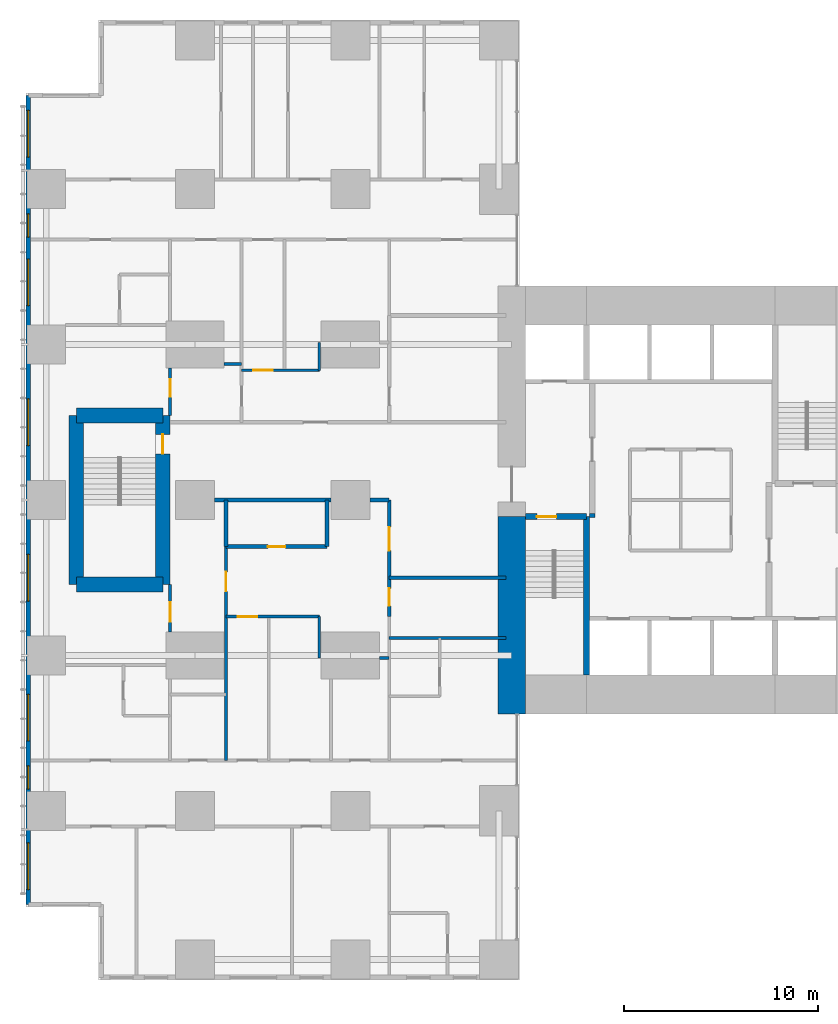
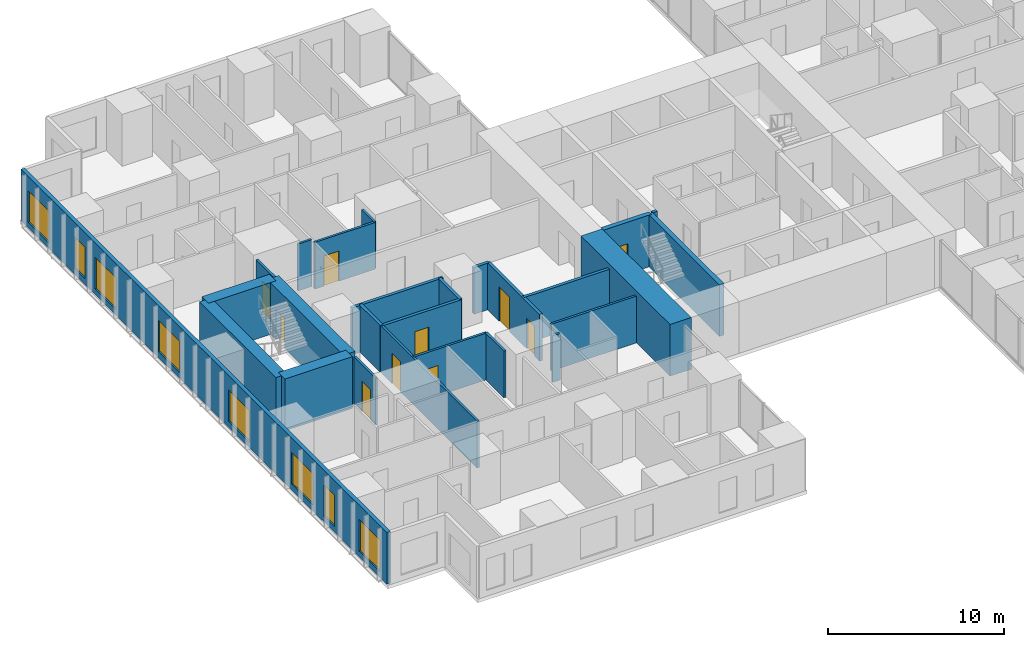
# One storey, part 13 of 20: 26 walls, 10 doors, 8 windows, 18 openings.
"""IFC4 building model written with IfcOpenShell, lengths in metres."""

from ifc_helpers import new_model, si_unit, direction, frame, frame_2d, origin, place, context, subcontext, project, spatial, rectangle, extrude, material, layer, layer_set, type_object, element, fill, save


model = new_model("IFC4")

# Units and contexts
model_context = context("Model", 3, precision=1e-05, world=origin(), true_north=direction((0.0, 1.0)))
body_context = subcontext(model_context, "Body", "Model", "MODEL_VIEW")
ifc_project = project(units=[si_unit("LENGTHUNIT", "METRE"), si_unit("AREAUNIT", "SQUARE_METRE"), si_unit("VOLUMEUNIT", "CUBIC_METRE"), si_unit("PLANEANGLEUNIT", "RADIAN"), si_unit("MASSUNIT", "GRAM", prefix="KILO")], contexts=[model_context])

# Site, building, storey
site_placement = place(None, origin())
site = spatial("IfcSite", under=ifc_project, at=site_placement, CompositionType="ELEMENT")
building_placement = place(site_placement, origin())
building = spatial("IfcBuilding", under=site, at=building_placement, Name="Cleftline Residences", CompositionType="ELEMENT")
storey_placement = place(building_placement, frame((0.0, 0.0, 168.199951171875)))
storey = spatial("IfcBuildingStorey", under=building, at=storey_placement, Name="L44", CompositionType="ELEMENT", Elevation=168.199951171875)

# Walls
ifc_material_1 = material(Name="Concrete B70", Category="concrete")
ifc_layer_1 = layer(ifc_material_1, 1.39990234375)
ifc_layer_set_1 = layer_set([ifc_layer_1], Name="CORE WALL 1400")
wall_type_1 = type_object("IfcWallType", Name="CORE WALL 1400", PredefinedType="SHEAR", material=ifc_layer_set_1)
wall_1_placement = place(storey_placement, frame((24.300048828125, 13.0, 0.0), z_axis=(0.0, 0.0, 1.0), x_axis=(0.0, 1.0, 0.0)))
element("IfcWall", 1, at=wall_1_placement, inside=storey, type_object=wall_type_1, Name="Core wall W0", PredefinedType="SHEAR", context=body_context, shape_type="SweptSolid", body=[
    extrude(rectangle(XDim=10.14990234375, YDim=1.39990234375, at=frame_2d((5.074951171875, 0.0))), origin(), (0.0, 0.0, 1.0), 3.60009765625),
])
ifc_material_2 = material(Name="Concrete B70", Category="concrete")
ifc_layer_2 = layer(ifc_material_2, 0.300048828125)
ifc_layer_set_2 = layer_set([ifc_layer_2], Name="CORE WALL 300")
wall_type_2 = type_object("IfcWallType", Name="CORE WALL 300", PredefinedType="SHEAR", material=ifc_layer_set_2)
wall_2_placement = place(storey_placement, frame((28.14990234375, 15.0, 0.0), z_axis=(0.0, 0.0, 1.0), x_axis=(0.0, 1.0, 0.0)))
element("IfcWall", 2, at=wall_2_placement, inside=storey, type_object=wall_type_2, Name="Core wall SA-E", PredefinedType="SHEAR", context=body_context, shape_type="SweptSolid", body=[
    extrude(rectangle(XDim=8.14990234375, YDim=0.300048828125, at=frame_2d((4.074951171875, 0.0))), origin(), (0.0, 0.0, 1.0), 3.60009765625),
])

# Wall, opening, door
wall_3_placement = place(storey_placement, frame((25.0, 23.14990234375, 0.0), z_axis=(0.0, 0.0, 1.0), x_axis=(1.0, 0.0, 0.0)))
wall_3 = element("IfcWall", 3, at=wall_3_placement, inside=storey, type_object=wall_type_2, Name="Core wall SA-N", PredefinedType="SHEAR", context=body_context, shape_type="SweptSolid", body=[
    extrude(rectangle(XDim=3.14990234375, YDim=0.300048828125, at=frame_2d((1.574951171875, 0.0))), origin(), (0.0, 0.0, 1.0), 3.60009765625),
])
opening_1_placement = place(wall_3_placement, frame((0.60009765625, 0.0, 0.0)))
opening_1 = element("IfcOpeningElement", 4, at=opening_1_placement, cuts=wall_3, Name="Opening D5", PredefinedType="OPENING", context=body_context, shape_type="SweptSolid", body=[
    extrude(rectangle(XDim=1.0, YDim=2.10009765625, at=frame_2d((0.5, 1.050048828125))), frame((0.0, 0.159912109375, 0.0), z_axis=(0.0, -1.0, 0.0), x_axis=(1.0, 0.0, 0.0)), (0.0, 0.0, 1.0), 0.320068359375),
])
ifc_material_3 = material(Name="Steel", Category="steel")
door_type_1 = type_object("IfcDoorType", Name="STAIR DOOR 1000X2100", OperationType="SINGLE_SWING_LEFT", PredefinedType="DOOR", material=ifc_material_3)
door_1_placement = place(opening_1_placement, origin())
door_1 = element("IfcDoor", 5, at=door_1_placement, inside=storey, type_object=door_type_1, Name="Stair A door", OperationType="SINGLE_SWING_RIGHT", OverallHeight=2.10009765625, OverallWidth=1.0, PredefinedType="DOOR", context=body_context, shape_type="SweptSolid", body=[
    extrude(rectangle(XDim=1.0, YDim=2.10009765625, at=frame_2d((0.5, 1.050048828125))), frame((0.0, 0.02490234375, 0.0), z_axis=(0.0, -1.0, 0.0), x_axis=(1.0, 0.0, 0.0)), (0.0, 0.0, 1.0), 0.050048828125),
])
fill(opening_1, door_1)

# Wall, openings, windows
ifc_material_4 = material(Name="Rendered reinforced concrete blockwork", Category="masonry")
ifc_layer_3 = layer(ifc_material_4, 0.25)
ifc_layer_set_3 = layer_set([ifc_layer_3], Name="EXTERNAL WALL 250")
wall_type_3 = type_object("IfcWallType", Name="EXTERNAL WALL 250", PredefinedType="SOLIDWALL", material=ifc_layer_set_3)
wall_4_placement = place(storey_placement, frame((-0.574951171875, 44.824951171875, 0.0), z_axis=(0.0, 0.0, 1.0), x_axis=(0.0, -1.0, 0.0)))
wall_4 = element("IfcWall", 6, at=wall_4_placement, inside=storey, type_object=wall_type_3, Name="External wall", PredefinedType="SOLIDWALL", context=body_context, shape_type="SweptSolid", body=[
    extrude(rectangle(XDim=41.64990234375, YDim=0.25, at=frame_2d((20.824951171875, 0.0))), origin(), (0.0, 0.0, 1.0), 3.60009765625),
])
opening_2_placement = place(wall_4_placement, frame((0.77490234375, 0.0, 0.39990234375)))
opening_2 = element("IfcOpeningElement", 7, at=opening_2_placement, cuts=wall_4, Name="Opening W12", PredefinedType="OPENING", context=body_context, shape_type="SweptSolid", body=[
    extrude(rectangle(XDim=2.39990234375, YDim=2.199951171875, at=frame_2d((1.199951171875, 1.10009765625))), frame((0.0, 0.135009765625, 0.0), z_axis=(0.0, -1.0, 0.0), x_axis=(1.0, 0.0, 0.0)), (0.0, 0.0, 1.0), 0.27001953125),
])
opening_3_placement = place(wall_4_placement, frame((6.10009765625, 0.0, 0.39990234375)))
opening_3 = element("IfcOpeningElement", 8, at=opening_3_placement, cuts=wall_4, Name="Opening W11", PredefinedType="OPENING", context=body_context, shape_type="SweptSolid", body=[
    extrude(rectangle(XDim=1.199951171875, YDim=2.199951171875, at=frame_2d((0.60009765625, 1.10009765625))), frame((0.0, 0.135009765625, 0.0), z_axis=(0.0, -1.0, 0.0), x_axis=(1.0, 0.0, 0.0)), (0.0, 0.0, 1.0), 0.27001953125),
])
opening_4_placement = place(wall_4_placement, frame((8.425048828125, 0.0, 0.39990234375)))
opening_4 = element("IfcOpeningElement", 9, at=opening_4_placement, cuts=wall_4, Name="Opening W12", PredefinedType="OPENING", context=body_context, shape_type="SweptSolid", body=[
    extrude(rectangle(XDim=2.39990234375, YDim=2.199951171875, at=frame_2d((1.199951171875, 1.10009765625))), frame((0.0, 0.135009765625, 0.0), z_axis=(0.0, -1.0, 0.0), x_axis=(1.0, 0.0, 0.0)), (0.0, 0.0, 1.0), 0.27001953125),
])
opening_5_placement = place(wall_4_placement, frame((15.625, 0.0, 0.39990234375)))
opening_5 = element("IfcOpeningElement", 10, at=opening_5_placement, cuts=wall_4, Name="Opening W12", PredefinedType="OPENING", context=body_context, shape_type="SweptSolid", body=[
    extrude(rectangle(XDim=2.39990234375, YDim=2.199951171875, at=frame_2d((1.199951171875, 1.10009765625))), frame((0.0, 0.135009765625, 0.0), z_axis=(0.0, -1.0, 0.0), x_axis=(1.0, 0.0, 0.0)), (0.0, 0.0, 1.0), 0.27001953125),
])
opening_6_placement = place(wall_4_placement, frame((23.625, 0.0, 0.39990234375)))
opening_6 = element("IfcOpeningElement", 11, at=opening_6_placement, cuts=wall_4, Name="Opening W12", PredefinedType="OPENING", context=body_context, shape_type="SweptSolid", body=[
    extrude(rectangle(XDim=2.39990234375, YDim=2.199951171875, at=frame_2d((1.199951171875, 1.10009765625))), frame((0.0, 0.135009765625, 0.0), z_axis=(0.0, -1.0, 0.0), x_axis=(1.0, 0.0, 0.0)), (0.0, 0.0, 1.0), 0.27001953125),
])
opening_7_placement = place(wall_4_placement, frame((30.824951171875, 0.0, 0.39990234375)))
opening_7 = element("IfcOpeningElement", 12, at=opening_7_placement, cuts=wall_4, Name="Opening W12", PredefinedType="OPENING", context=body_context, shape_type="SweptSolid", body=[
    extrude(rectangle(XDim=2.39990234375, YDim=2.199951171875, at=frame_2d((1.199951171875, 1.10009765625))), frame((0.0, 0.135009765625, 0.0), z_axis=(0.0, -1.0, 0.0), x_axis=(1.0, 0.0, 0.0)), (0.0, 0.0, 1.0), 0.27001953125),
])
opening_8_placement = place(wall_4_placement, frame((34.5, 0.0, 0.39990234375)))
opening_8 = element("IfcOpeningElement", 13, at=opening_8_placement, cuts=wall_4, Name="Opening W11", PredefinedType="OPENING", context=body_context, shape_type="SweptSolid", body=[
    extrude(rectangle(XDim=1.199951171875, YDim=2.199951171875, at=frame_2d((0.60009765625, 1.10009765625))), frame((0.0, 0.135009765625, 0.0), z_axis=(0.0, -1.0, 0.0), x_axis=(1.0, 0.0, 0.0)), (0.0, 0.0, 1.0), 0.27001953125),
])
opening_9_placement = place(wall_4_placement, frame((38.47509765625, 0.0, 0.39990234375)))
opening_9 = element("IfcOpeningElement", 14, at=opening_9_placement, cuts=wall_4, Name="Opening W12", PredefinedType="OPENING", context=body_context, shape_type="SweptSolid", body=[
    extrude(rectangle(XDim=2.39990234375, YDim=2.199951171875, at=frame_2d((1.199951171875, 1.10009765625))), frame((0.0, 0.135009765625, 0.0), z_axis=(0.0, -1.0, 0.0), x_axis=(1.0, 0.0, 0.0)), (0.0, 0.0, 1.0), 0.27001953125),
])
ifc_material_5 = material(Name="Aluminium frame, clear double glazing", Category="aluminium")
window_type_1 = type_object("IfcWindowType", Name="WINDOW 1200X2200", PartitioningType="DOUBLE_PANEL_VERTICAL", PredefinedType="WINDOW", material=ifc_material_5)
window_1_placement = place(opening_3_placement, origin())
window_1 = element("IfcWindow", 15, at=window_1_placement, inside=storey, type_object=window_type_1, Name="Window", OverallHeight=2.199951171875, OverallWidth=1.199951171875, PartitioningType="SINGLE_PANEL", PredefinedType="WINDOW", context=body_context, shape_type="SweptSolid", body=[
    extrude(rectangle(XDim=1.199951171875, YDim=2.199951171875, at=frame_2d((0.60009765625, 1.10009765625))), frame((0.0, 0.030029296875, 0.0), z_axis=(0.0, -1.0, 0.0), x_axis=(1.0, 0.0, 0.0)), (0.0, 0.0, 1.0), 0.06005859375),
])
fill(opening_3, window_1)
window_2_placement = place(opening_8_placement, origin())
window_2 = element("IfcWindow", 16, at=window_2_placement, inside=storey, type_object=window_type_1, Name="Window", OverallHeight=2.199951171875, OverallWidth=1.199951171875, PartitioningType="SINGLE_PANEL", PredefinedType="WINDOW", context=body_context, shape_type="SweptSolid", body=[
    extrude(rectangle(XDim=1.199951171875, YDim=2.199951171875, at=frame_2d((0.60009765625, 1.10009765625))), frame((0.0, 0.030029296875, 0.0), z_axis=(0.0, -1.0, 0.0), x_axis=(1.0, 0.0, 0.0)), (0.0, 0.0, 1.0), 0.06005859375),
])
fill(opening_8, window_2)
ifc_material_6 = material(Name="Aluminium frame, clear double glazing", Category="aluminium")
window_type_2 = type_object("IfcWindowType", Name="WINDOW 2400X2200", PartitioningType="DOUBLE_PANEL_VERTICAL", PredefinedType="WINDOW", material=ifc_material_6)
window_3_placement = place(opening_2_placement, origin())
window_3 = element("IfcWindow", 17, at=window_3_placement, inside=storey, type_object=window_type_2, Name="Window", OverallHeight=2.199951171875, OverallWidth=2.39990234375, PartitioningType="SINGLE_PANEL", PredefinedType="WINDOW", context=body_context, shape_type="SweptSolid", body=[
    extrude(rectangle(XDim=2.39990234375, YDim=2.199951171875, at=frame_2d((1.199951171875, 1.10009765625))), frame((0.0, 0.030029296875, 0.0), z_axis=(0.0, -1.0, 0.0), x_axis=(1.0, 0.0, 0.0)), (0.0, 0.0, 1.0), 0.06005859375),
])
fill(opening_2, window_3)
window_4_placement = place(opening_4_placement, origin())
window_4 = element("IfcWindow", 18, at=window_4_placement, inside=storey, type_object=window_type_2, Name="Window", OverallHeight=2.199951171875, OverallWidth=2.39990234375, PartitioningType="SINGLE_PANEL", PredefinedType="WINDOW", context=body_context, shape_type="SweptSolid", body=[
    extrude(rectangle(XDim=2.39990234375, YDim=2.199951171875, at=frame_2d((1.199951171875, 1.10009765625))), frame((0.0, 0.030029296875, 0.0), z_axis=(0.0, -1.0, 0.0), x_axis=(1.0, 0.0, 0.0)), (0.0, 0.0, 1.0), 0.06005859375),
])
fill(opening_4, window_4)
window_5_placement = place(opening_5_placement, origin())
window_5 = element("IfcWindow", 19, at=window_5_placement, inside=storey, type_object=window_type_2, Name="Window", OverallHeight=2.199951171875, OverallWidth=2.39990234375, PartitioningType="SINGLE_PANEL", PredefinedType="WINDOW", context=body_context, shape_type="SweptSolid", body=[
    extrude(rectangle(XDim=2.39990234375, YDim=2.199951171875, at=frame_2d((1.199951171875, 1.10009765625))), frame((0.0, 0.030029296875, 0.0), z_axis=(0.0, -1.0, 0.0), x_axis=(1.0, 0.0, 0.0)), (0.0, 0.0, 1.0), 0.06005859375),
])
fill(opening_5, window_5)
window_6_placement = place(opening_6_placement, origin())
window_6 = element("IfcWindow", 20, at=window_6_placement, inside=storey, type_object=window_type_2, Name="Window", OverallHeight=2.199951171875, OverallWidth=2.39990234375, PartitioningType="SINGLE_PANEL", PredefinedType="WINDOW", context=body_context, shape_type="SweptSolid", body=[
    extrude(rectangle(XDim=2.39990234375, YDim=2.199951171875, at=frame_2d((1.199951171875, 1.10009765625))), frame((0.0, 0.030029296875, 0.0), z_axis=(0.0, -1.0, 0.0), x_axis=(1.0, 0.0, 0.0)), (0.0, 0.0, 1.0), 0.06005859375),
])
fill(opening_6, window_6)
window_7_placement = place(opening_7_placement, origin())
window_7 = element("IfcWindow", 21, at=window_7_placement, inside=storey, type_object=window_type_2, Name="Window", OverallHeight=2.199951171875, OverallWidth=2.39990234375, PartitioningType="SINGLE_PANEL", PredefinedType="WINDOW", context=body_context, shape_type="SweptSolid", body=[
    extrude(rectangle(XDim=2.39990234375, YDim=2.199951171875, at=frame_2d((1.199951171875, 1.10009765625))), frame((0.0, 0.030029296875, 0.0), z_axis=(0.0, -1.0, 0.0), x_axis=(1.0, 0.0, 0.0)), (0.0, 0.0, 1.0), 0.06005859375),
])
fill(opening_7, window_7)
window_8_placement = place(opening_9_placement, origin())
window_8 = element("IfcWindow", 22, at=window_8_placement, inside=storey, type_object=window_type_2, Name="Window", OverallHeight=2.199951171875, OverallWidth=2.39990234375, PartitioningType="SINGLE_PANEL", PredefinedType="WINDOW", context=body_context, shape_type="SweptSolid", body=[
    extrude(rectangle(XDim=2.39990234375, YDim=2.199951171875, at=frame_2d((1.199951171875, 1.10009765625))), frame((0.0, 0.030029296875, 0.0), z_axis=(0.0, -1.0, 0.0), x_axis=(1.0, 0.0, 0.0)), (0.0, 0.0, 1.0), 0.06005859375),
])
fill(opening_9, window_8)

# Wall
ifc_material_7 = material(Name="Concrete blockwork, fire rated", Category="masonry")
ifc_layer_4 = layer(ifc_material_7, 0.199951171875)
ifc_layer_set_4 = layer_set([ifc_layer_4], Name="FIRE WALL 200")
wall_type_4 = type_object("IfcWallType", Name="FIRE WALL 200", PredefinedType="PARTITIONING", material=ifc_layer_set_4)
wall_5_placement = place(storey_placement, frame((18.0, 20.0, 0.0), z_axis=(0.0, 0.0, 1.0), x_axis=(1.0, 0.0, 0.0)))
element("IfcWall", 23, at=wall_5_placement, inside=storey, type_object=wall_type_4, Name="Fire separating wall", PredefinedType="PARTITIONING", context=body_context, shape_type="SweptSolid", body=[
    extrude(rectangle(XDim=6.0, YDim=0.199951171875, at=frame_2d((3.0, 0.0))), origin(), (0.0, 0.0, 1.0), 3.25),
])

# Wall, opening, door
wall_6_placement = place(storey_placement, frame((9.60009765625, 21.60009765625, 0.0), z_axis=(0.0, 0.0, 1.0), x_axis=(1.0, 0.0, 0.0)))
wall_6 = element("IfcWall", 24, at=wall_6_placement, inside=storey, type_object=wall_type_4, Name="Fire separating wall", PredefinedType="PARTITIONING", context=body_context, shape_type="SweptSolid", body=[
    extrude(rectangle(XDim=5.199951171875, YDim=0.199951171875, at=frame_2d((2.60009765625, 0.0))), origin(), (0.0, 0.0, 1.0), 3.25),
])
opening_10_placement = place(wall_6_placement, frame((2.14990234375, 0.0, 0.0)))
opening_10 = element("IfcOpeningElement", 25, at=opening_10_placement, cuts=wall_6, Name="Opening D1F30", PredefinedType="OPENING", context=body_context, shape_type="SweptSolid", body=[
    extrude(rectangle(XDim=0.89990234375, YDim=2.10009765625, at=frame_2d((0.449951171875, 1.050048828125))), frame((0.0, 0.10986328125, 0.0), z_axis=(0.0, -1.0, 0.0), x_axis=(1.0, 0.0, 0.0)), (0.0, 0.0, 1.0), 0.219970703125),
])
ifc_material_8 = material(Name="Timber veneer on solid core", Category="wood")
door_type_2 = type_object("IfcDoorType", Name="DOOR 900X2100 EI 30", OperationType="SINGLE_SWING_LEFT", PredefinedType="DOOR", material=ifc_material_8)
door_2_placement = place(opening_10_placement, origin())
door_2 = element("IfcDoor", 26, at=door_2_placement, inside=storey, type_object=door_type_2, Name="Door to cloakroom wc", OperationType="SINGLE_SWING_LEFT", OverallHeight=2.10009765625, OverallWidth=0.89990234375, PredefinedType="DOOR", context=body_context, shape_type="SweptSolid", body=[
    extrude(rectangle(XDim=0.89990234375, YDim=2.10009765625, at=frame_2d((0.449951171875, 1.050048828125))), frame((0.0, 0.02490234375, 0.0), z_axis=(0.0, -1.0, 0.0), x_axis=(1.0, 0.0, 0.0)), (0.0, 0.0, 1.0), 0.050048828125),
])
fill(opening_10, door_2)

# Walls
wall_7_placement = place(storey_placement, frame((9.0, 24.0, 0.0), z_axis=(0.0, 0.0, 1.0), x_axis=(1.0, 0.0, 0.0)))
element("IfcWall", 27, at=wall_7_placement, inside=storey, type_object=wall_type_4, Name="Fire separating wall", PredefinedType="PARTITIONING", context=body_context, shape_type="SweptSolid", body=[
    extrude(rectangle(XDim=6.0, YDim=0.199951171875, at=frame_2d((3.0, 0.0))), origin(), (0.0, 0.0, 1.0), 3.25),
])
wall_8_placement = place(storey_placement, frame((17.0, 24.0, 0.0), z_axis=(0.0, 0.0, 1.0), x_axis=(1.0, 0.0, 0.0)))
element("IfcWall", 28, at=wall_8_placement, inside=storey, type_object=wall_type_4, Name="Fire separating wall", PredefinedType="PARTITIONING", context=body_context, shape_type="SweptSolid", body=[
    extrude(rectangle(XDim=1.0, YDim=0.199951171875, at=frame_2d((0.5, 0.0))), origin(), (0.0, 0.0, 1.0), 3.25),
])
for number, where, z_axis, x_axis, name in (
    (29, (9.60009765625, 21.60009765625, 0.0), (0.0, 0.0, 1.0), (0.0, 1.0, 0.0), "Fire separating wall"),
    (30, (14.800048828125, 21.60009765625, 0.0), (0.0, 0.0, 1.0), (0.0, 1.0, 0.0), "Fire separating wall"),
):
    element("IfcWall", number, at=place(storey_placement, frame(where, z_axis=z_axis, x_axis=x_axis)), inside=storey, type_object=wall_type_4, Name=name, PredefinedType="PARTITIONING", context=body_context, shape_type="SweptSolid", body=[
        extrude(rectangle(XDim=2.39990234375, YDim=0.199951171875, at=frame_2d((1.199951171875, 0.0))), origin(), (0.0, 0.0, 1.0), 3.25),
    ])

# Wall, openings, doors
wall_9_placement = place(storey_placement, frame((18.0, 18.0, 0.0), z_axis=(0.0, 0.0, 1.0), x_axis=(0.0, 1.0, 0.0)))
wall_9 = element("IfcWall", 31, at=wall_9_placement, inside=storey, type_object=wall_type_4, Name="Fire separating wall", PredefinedType="PARTITIONING", context=body_context, shape_type="SweptSolid", body=[
    extrude(rectangle(XDim=6.0, YDim=0.199951171875, at=frame_2d((3.0, 0.0))), origin(), (0.0, 0.0, 1.0), 3.25),
])
opening_11_placement = place(wall_9_placement, frame((3.39990234375, 0.0, 0.0)))
opening_11 = element("IfcOpeningElement", 32, at=opening_11_placement, cuts=wall_9, Name="Opening D4", PredefinedType="OPENING", context=body_context, shape_type="SweptSolid", body=[
    extrude(rectangle(XDim=1.199951171875, YDim=2.39990234375, at=frame_2d((0.60009765625, 1.199951171875))), frame((0.0, 0.10986328125, 0.0), z_axis=(0.0, -1.0, 0.0), x_axis=(1.0, 0.0, 0.0)), (0.0, 0.0, 1.0), 0.219970703125),
])
opening_12_placement = place(wall_9_placement, frame((0.550048828125, 0.0, 0.0)))
opening_12 = element("IfcOpeningElement", 33, at=opening_12_placement, cuts=wall_9, Name="Opening D1F30", PredefinedType="OPENING", context=body_context, shape_type="SweptSolid", body=[
    extrude(rectangle(XDim=0.89990234375, YDim=2.10009765625, at=frame_2d((0.449951171875, 1.050048828125))), frame((0.0, 0.10986328125, 0.0), z_axis=(0.0, -1.0, 0.0), x_axis=(1.0, 0.0, 0.0)), (0.0, 0.0, 1.0), 0.219970703125),
])
ifc_material_9 = material(Name="Timber veneer on solid core", Category="wood")
door_type_3 = type_object("IfcDoorType", Name="APARTMENT ENTRANCE DOOR 1200X2400", OperationType="SINGLE_SWING_RIGHT", PredefinedType="DOOR", material=ifc_material_9)
door_3_placement = place(opening_11_placement, origin())
door_3 = element("IfcDoor", 34, at=door_3_placement, inside=storey, type_object=door_type_3, Name="Door to residence entrance foyer", OperationType="SINGLE_SWING_LEFT", OverallHeight=2.39990234375, OverallWidth=1.199951171875, PredefinedType="DOOR", context=body_context, shape_type="SweptSolid", body=[
    extrude(rectangle(XDim=1.199951171875, YDim=2.39990234375, at=frame_2d((0.60009765625, 1.199951171875))), frame((0.0, 0.02490234375, 0.0), z_axis=(0.0, -1.0, 0.0), x_axis=(1.0, 0.0, 0.0)), (0.0, 0.0, 1.0), 0.050048828125),
])
fill(opening_11, door_3)
door_4_placement = place(opening_12_placement, origin())
door_4 = element("IfcDoor", 35, at=door_4_placement, inside=storey, type_object=door_type_2, Name="Door to laundry", OperationType="SINGLE_SWING_RIGHT", OverallHeight=2.10009765625, OverallWidth=0.89990234375, PredefinedType="DOOR", context=body_context, shape_type="SweptSolid", body=[
    extrude(rectangle(XDim=0.89990234375, YDim=2.10009765625, at=frame_2d((0.449951171875, 1.050048828125))), frame((0.0, 0.02490234375, 0.0), z_axis=(0.0, -1.0, 0.0), x_axis=(1.0, 0.0, 0.0)), (0.0, 0.0, 1.0), 0.050048828125),
])
fill(opening_12, door_4)

# Walls
wall_10_placement = place(storey_placement, frame((28.300048828125, 23.199951171875, 0.0), z_axis=(0.0, 0.0, 1.0), x_axis=(1.0, 0.0, 0.0)))
element("IfcWall", 36, at=wall_10_placement, inside=storey, type_object=wall_type_4, Name="Fire separating wall", PredefinedType="PARTITIONING", context=body_context, shape_type="SweptSolid", body=[
    extrude(rectangle(XDim=0.300048828125, YDim=0.199951171875, at=frame_2d((0.14990234375, 0.0))), origin(), (0.0, 0.0, 1.0), 3.60009765625),
])
ifc_material_10 = material(Name="Gypsum board on steel studs", Category="steel")
ifc_layer_5 = layer(ifc_material_10, 0.14990234375)
ifc_layer_set_5 = layer_set([ifc_layer_5], Name="PARTITION 150")
wall_type_5 = type_object("IfcWallType", Name="PARTITION 150", PredefinedType="PARTITIONING", material=ifc_layer_set_5)
wall_11_placement = place(storey_placement, frame((17.5, 15.875, 0.0), z_axis=(0.0, 0.0, 1.0), x_axis=(1.0, 0.0, 0.0)))
element("IfcWall", 37, at=wall_11_placement, inside=storey, type_object=wall_type_5, Name="Partition", PredefinedType="PARTITIONING", context=body_context, shape_type="SweptSolid", body=[
    extrude(rectangle(XDim=0.5, YDim=0.14990234375, at=frame_2d((0.25, 0.0))), origin(), (0.0, 0.0, 1.0), 3.25),
])
wall_12_placement = place(storey_placement, frame((18.0, 16.89990234375, 0.0), z_axis=(0.0, 0.0, 1.0), x_axis=(1.0, 0.0, 0.0)))
element("IfcWall", 38, at=wall_12_placement, inside=storey, type_object=wall_type_5, Name="Partition", PredefinedType="PARTITIONING", context=body_context, shape_type="SweptSolid", body=[
    extrude(rectangle(XDim=6.0, YDim=0.14990234375, at=frame_2d((3.0, 0.0))), origin(), (0.0, 0.0, 1.0), 3.25),
])

# Wall, opening, door
wall_13_placement = place(storey_placement, frame((9.60009765625, 18.0, 0.0), z_axis=(0.0, 0.0, 1.0), x_axis=(1.0, 0.0, 0.0)))
wall_13 = element("IfcWall", 39, at=wall_13_placement, inside=storey, type_object=wall_type_5, Name="Partition", PredefinedType="PARTITIONING", context=body_context, shape_type="SweptSolid", body=[
    extrude(rectangle(XDim=4.7998046875, YDim=0.14990234375, at=frame_2d((2.39990234375, 0.0))), origin(), (0.0, 0.0, 1.0), 3.25),
])
opening_13_placement = place(wall_13_placement, frame((0.60009765625, 0.0, 0.0)))
opening_13 = element("IfcOpeningElement", 40, at=opening_13_placement, cuts=wall_13, Name="Opening D2", PredefinedType="OPENING", context=body_context, shape_type="SweptSolid", body=[
    extrude(rectangle(XDim=1.0, YDim=2.10009765625, at=frame_2d((0.5, 1.050048828125))), frame((0.0, 0.0849609375, 0.0), z_axis=(0.0, -1.0, 0.0), x_axis=(1.0, 0.0, 0.0)), (0.0, 0.0, 1.0), 0.169921875),
])
ifc_material_11 = material(Name="Timber veneer on solid core", Category="wood")
door_type_4 = type_object("IfcDoorType", Name="DOOR 1000X2100", OperationType="SINGLE_SWING_LEFT", PredefinedType="DOOR", material=ifc_material_11)
door_5_placement = place(opening_13_placement, origin())
door_5 = element("IfcDoor", 41, at=door_5_placement, inside=storey, type_object=door_type_4, Name="Door to residence passage", OperationType="SINGLE_SWING_RIGHT", OverallHeight=2.10009765625, OverallWidth=1.0, PredefinedType="DOOR", context=body_context, shape_type="SweptSolid", body=[
    extrude(rectangle(XDim=1.0, YDim=2.10009765625, at=frame_2d((0.5, 1.050048828125))), frame((0.0, 0.02490234375, 0.0), z_axis=(0.0, -1.0, 0.0), x_axis=(1.0, 0.0, 0.0)), (0.0, 0.0, 1.0), 0.050048828125),
])
fill(opening_13, door_5)

wall_14_placement = place(storey_placement, frame((10.39990234375, 30.675048828125, 0.0), z_axis=(0.0, 0.0, 1.0), x_axis=(1.0, 0.0, 0.0)))
wall_14 = element("IfcWall", 42, at=wall_14_placement, inside=storey, type_object=wall_type_5, Name="Partition", PredefinedType="PARTITIONING", context=body_context, shape_type="SweptSolid", body=[
    extrude(rectangle(XDim=4.0, YDim=0.14990234375, at=frame_2d((2.0, 0.0))), origin(), (0.0, 0.0, 1.0), 3.25),
])
opening_14_placement = place(wall_14_placement, frame((0.60009765625, 0.0, 0.0)))
opening_14 = element("IfcOpeningElement", 43, at=opening_14_placement, cuts=wall_14, Name="Opening D2", PredefinedType="OPENING", context=body_context, shape_type="SweptSolid", body=[
    extrude(rectangle(XDim=1.0, YDim=2.10009765625, at=frame_2d((0.5, 1.050048828125))), frame((0.0, 0.0849609375, 0.0), z_axis=(0.0, -1.0, 0.0), x_axis=(1.0, 0.0, 0.0)), (0.0, 0.0, 1.0), 0.169921875),
])
door_6_placement = place(opening_14_placement, origin())
door_6 = element("IfcDoor", 44, at=door_6_placement, inside=storey, type_object=door_type_4, Name="Door to residence passage", OperationType="SINGLE_SWING_RIGHT", OverallHeight=2.10009765625, OverallWidth=1.0, PredefinedType="DOOR", context=body_context, shape_type="SweptSolid", body=[
    extrude(rectangle(XDim=1.0, YDim=2.10009765625, at=frame_2d((0.5, 1.050048828125))), frame((0.0, 0.02490234375, 0.0), z_axis=(0.0, -1.0, 0.0), x_axis=(1.0, 0.0, 0.0)), (0.0, 0.0, 1.0), 0.050048828125),
])
fill(opening_14, door_6)

# Wall
wall_15_placement = place(storey_placement, frame((9.5, 31.0, 0.0), z_axis=(0.0, 0.0, 1.0), x_axis=(1.0, 0.0, 0.0)))
element("IfcWall", 45, at=wall_15_placement, inside=storey, type_object=wall_type_5, Name="Partition", PredefinedType="PARTITIONING", context=body_context, shape_type="SweptSolid", body=[
    extrude(rectangle(XDim=0.89990234375, YDim=0.14990234375, at=frame_2d((0.449951171875, 0.0))), origin(), (0.0, 0.0, 1.0), 3.25),
])

# Wall, opening, door
wall_16_placement = place(storey_placement, frame((6.72509765625, 17.199951171875, 0.0), z_axis=(0.0, 0.0, 1.0), x_axis=(0.0, 1.0, 0.0)))
wall_16 = element("IfcWall", 46, at=wall_16_placement, inside=storey, type_object=wall_type_5, Name="Partition", PredefinedType="PARTITIONING", context=body_context, shape_type="SweptSolid", body=[
    extrude(rectangle(XDim=2.449951171875, YDim=0.14990234375, at=frame_2d((1.22509765625, 0.0))), origin(), (0.0, 0.0, 1.0), 3.25),
])
opening_15_placement = place(wall_16_placement, frame((0.53759765625, 0.0, 0.0)))
opening_15 = element("IfcOpeningElement", 47, at=opening_15_placement, cuts=wall_16, Name="Opening D2", PredefinedType="OPENING", context=body_context, shape_type="SweptSolid", body=[
    extrude(rectangle(XDim=1.0, YDim=2.10009765625, at=frame_2d((0.5, 1.050048828125))), frame((0.0, 0.0849609375, 0.0), z_axis=(0.0, -1.0, 0.0), x_axis=(1.0, 0.0, 0.0)), (0.0, 0.0, 1.0), 0.169921875),
])
door_7_placement = place(opening_15_placement, origin())
door_7 = element("IfcDoor", 48, at=door_7_placement, inside=storey, type_object=door_type_4, Name="Door to staff bedroom", OperationType="SINGLE_SWING_RIGHT", OverallHeight=2.10009765625, OverallWidth=1.0, PredefinedType="DOOR", context=body_context, shape_type="SweptSolid", body=[
    extrude(rectangle(XDim=1.0, YDim=2.10009765625, at=frame_2d((0.5, 1.050048828125))), frame((0.0, 0.02490234375, 0.0), z_axis=(0.0, -1.0, 0.0), x_axis=(1.0, 0.0, 0.0)), (0.0, 0.0, 1.0), 0.050048828125),
])
fill(opening_15, door_7)

wall_17_placement = place(storey_placement, frame((6.72509765625, 28.35009765625, 0.0), z_axis=(0.0, 0.0, 1.0), x_axis=(0.0, 1.0, 0.0)))
wall_17 = element("IfcWall", 49, at=wall_17_placement, inside=storey, type_object=wall_type_5, Name="Partition", PredefinedType="PARTITIONING", context=body_context, shape_type="SweptSolid", body=[
    extrude(rectangle(XDim=2.449951171875, YDim=0.14990234375, at=frame_2d((1.22509765625, 0.0))), origin(), (0.0, 0.0, 1.0), 3.25),
])
opening_16_placement = place(wall_17_placement, frame((0.96240234375, 0.0, 0.0)))
opening_16 = element("IfcOpeningElement", 50, at=opening_16_placement, cuts=wall_17, Name="Opening D1", PredefinedType="OPENING", context=body_context, shape_type="SweptSolid", body=[
    extrude(rectangle(XDim=0.89990234375, YDim=2.10009765625, at=frame_2d((0.449951171875, 1.050048828125))), frame((0.0, 0.0849609375, 0.0), z_axis=(0.0, -1.0, 0.0), x_axis=(1.0, 0.0, 0.0)), (0.0, 0.0, 1.0), 0.169921875),
])
ifc_material_12 = material(Name="Timber veneer on solid core", Category="wood")
door_type_5 = type_object("IfcDoorType", Name="DOOR 900X2100", OperationType="SINGLE_SWING_LEFT", PredefinedType="DOOR", material=ifc_material_12)
door_8_placement = place(opening_16_placement, origin())
door_8 = element("IfcDoor", 51, at=door_8_placement, inside=storey, type_object=door_type_5, Name="Door to drying loggia", OperationType="SINGLE_SWING_LEFT", OverallHeight=2.10009765625, OverallWidth=0.89990234375, PredefinedType="DOOR", context=body_context, shape_type="SweptSolid", body=[
    extrude(rectangle(XDim=0.89990234375, YDim=2.10009765625, at=frame_2d((0.449951171875, 1.050048828125))), frame((0.0, 0.02490234375, 0.0), z_axis=(0.0, -1.0, 0.0), x_axis=(1.0, 0.0, 0.0)), (0.0, 0.0, 1.0), 0.050048828125),
])
fill(opening_16, door_8)

wall_18_placement = place(storey_placement, frame((9.60009765625, 10.60009765625, 0.0), z_axis=(0.0, 0.0, 1.0), x_axis=(0.0, 1.0, 0.0)))
wall_18 = element("IfcWall", 52, at=wall_18_placement, inside=storey, type_object=wall_type_5, Name="Partition", PredefinedType="PARTITIONING", context=body_context, shape_type="SweptSolid", body=[
    extrude(rectangle(XDim=11.0, YDim=0.14990234375, at=frame_2d((5.5, 0.0))), origin(), (0.0, 0.0, 1.0), 3.25),
])
opening_17_placement = place(wall_18_placement, frame((8.699951171875, 0.0, 0.0)))
opening_17 = element("IfcOpeningElement", 53, at=opening_17_placement, cuts=wall_18, Name="Opening D2F30", PredefinedType="OPENING", context=body_context, shape_type="SweptSolid", body=[
    extrude(rectangle(XDim=1.0, YDim=2.10009765625, at=frame_2d((0.5, 1.050048828125))), frame((0.0, 0.0849609375, 0.0), z_axis=(0.0, -1.0, 0.0), x_axis=(1.0, 0.0, 0.0)), (0.0, 0.0, 1.0), 0.169921875),
])
ifc_material_13 = material(Name="Timber veneer on solid core", Category="wood")
door_type_6 = type_object("IfcDoorType", Name="DOOR 1000X2100 EI 30", OperationType="SINGLE_SWING_LEFT", PredefinedType="DOOR", material=ifc_material_13)
door_9_placement = place(opening_17_placement, origin())
door_9 = element("IfcDoor", 54, at=door_9_placement, inside=storey, type_object=door_type_6, Name="Door to residence lobby (service)", OperationType="SINGLE_SWING_LEFT", OverallHeight=2.10009765625, OverallWidth=1.0, PredefinedType="DOOR", context=body_context, shape_type="SweptSolid", body=[
    extrude(rectangle(XDim=1.0, YDim=2.10009765625, at=frame_2d((0.5, 1.050048828125))), frame((0.0, 0.02490234375, 0.0), z_axis=(0.0, -1.0, 0.0), x_axis=(1.0, 0.0, 0.0)), (0.0, 0.0, 1.0), 0.050048828125),
])
fill(opening_17, door_9)

# Walls
wall_19_placement = place(storey_placement, frame((14.39990234375, 15.875, 0.0), z_axis=(0.0, 0.0, 1.0), x_axis=(0.0, 1.0, 0.0)))
element("IfcWall", 55, at=wall_19_placement, inside=storey, type_object=wall_type_5, Name="Partition", PredefinedType="PARTITIONING", context=body_context, shape_type="SweptSolid", body=[
    extrude(rectangle(XDim=2.125, YDim=0.14990234375, at=frame_2d((1.0625, 0.0))), origin(), (0.0, 0.0, 1.0), 3.25),
])
wall_20_placement = place(storey_placement, frame((14.39990234375, 30.675048828125, 0.0), z_axis=(0.0, 0.0, 1.0), x_axis=(0.0, 1.0, 0.0)))
element("IfcWall", 56, at=wall_20_placement, inside=storey, type_object=wall_type_5, Name="Partition", PredefinedType="PARTITIONING", context=body_context, shape_type="SweptSolid", body=[
    extrude(rectangle(XDim=1.425048828125, YDim=0.14990234375, at=frame_2d((0.71240234375, 0.0))), origin(), (0.0, 0.0, 1.0), 3.25),
])
ifc_material_14 = material(Name="Concrete B70", Category="concrete")
ifc_layer_6 = layer(ifc_material_14, 0.75)
ifc_layer_set_6 = layer_set([ifc_layer_6], Name="SHEAR WALL 750")
wall_type_6 = type_object("IfcWallType", Name="SHEAR WALL 750", PredefinedType="SHEAR", material=ifc_layer_set_6)
wall_21_placement = place(storey_placement, frame((1.89990234375, 19.64990234375, 0.0), z_axis=(0.0, 0.0, 1.0), x_axis=(1.0, 0.0, 0.0)))
element("IfcWall", 57, at=wall_21_placement, inside=storey, type_object=wall_type_6, Name="Wing shear wall", PredefinedType="SHEAR", context=body_context, shape_type="SweptSolid", body=[
    extrude(rectangle(XDim=4.4501953125, YDim=0.75, at=frame_2d((2.22509765625, 0.0))), origin(), (0.0, 0.0, 1.0), 3.60009765625),
])

# Wall, opening, door
wall_22_placement = place(storey_placement, frame((6.35009765625, 19.64990234375, 0.0), z_axis=(0.0, 0.0, 1.0), x_axis=(0.0, 1.0, 0.0)))
wall_22 = element("IfcWall", 58, at=wall_22_placement, inside=storey, type_object=wall_type_6, Name="Wing shear wall", PredefinedType="SHEAR", context=body_context, shape_type="SweptSolid", body=[
    extrude(rectangle(XDim=8.7001953125, YDim=0.75, at=frame_2d((4.35009765625, 0.0))), origin(), (0.0, 0.0, 1.0), 3.60009765625),
])
opening_18_placement = place(wall_22_placement, frame((6.72509765625, 0.0, 0.0)))
opening_18 = element("IfcOpeningElement", 59, at=opening_18_placement, cuts=wall_22, Name="Opening D5", PredefinedType="OPENING", context=body_context, shape_type="SweptSolid", body=[
    extrude(rectangle(XDim=1.0, YDim=2.10009765625, at=frame_2d((0.5, 1.050048828125))), frame((0.0, 0.385009765625, 0.0), z_axis=(0.0, -1.0, 0.0), x_axis=(1.0, 0.0, 0.0)), (0.0, 0.0, 1.0), 0.77001953125),
])
door_10_placement = place(opening_18_placement, origin())
door_10 = element("IfcDoor", 60, at=door_10_placement, inside=storey, type_object=door_type_1, Name="Stair W door", OperationType="SINGLE_SWING_LEFT", OverallHeight=2.10009765625, OverallWidth=1.0, PredefinedType="DOOR", context=body_context, shape_type="SweptSolid", body=[
    extrude(rectangle(XDim=1.0, YDim=2.10009765625, at=frame_2d((0.5, 1.050048828125))), frame((0.0, 0.02490234375, 0.0), z_axis=(0.0, -1.0, 0.0), x_axis=(1.0, 0.0, 0.0)), (0.0, 0.0, 1.0), 0.050048828125),
])
fill(opening_18, door_10)

# Walls
wall_23_placement = place(storey_placement, frame((6.35009765625, 28.35009765625, 0.0), z_axis=(0.0, 0.0, 1.0), x_axis=(-1.0, 0.0, 0.0)))
element("IfcWall", 61, at=wall_23_placement, inside=storey, type_object=wall_type_6, Name="Wing shear wall", PredefinedType="SHEAR", context=body_context, shape_type="SweptSolid", body=[
    extrude(rectangle(XDim=4.4501953125, YDim=0.75, at=frame_2d((2.22509765625, 0.0))), origin(), (0.0, 0.0, 1.0), 3.60009765625),
])
wall_24_placement = place(storey_placement, frame((1.89990234375, 28.35009765625, 0.0), z_axis=(0.0, 0.0, 1.0), x_axis=(0.0, -1.0, 0.0)))
element("IfcWall", 62, at=wall_24_placement, inside=storey, type_object=wall_type_6, Name="Wing shear wall", PredefinedType="SHEAR", context=body_context, shape_type="SweptSolid", body=[
    extrude(rectangle(XDim=8.7001953125, YDim=0.75, at=frame_2d((4.35009765625, 0.0))), origin(), (0.0, 0.0, 1.0), 3.60009765625),
])

save(model, "model.ifc")
